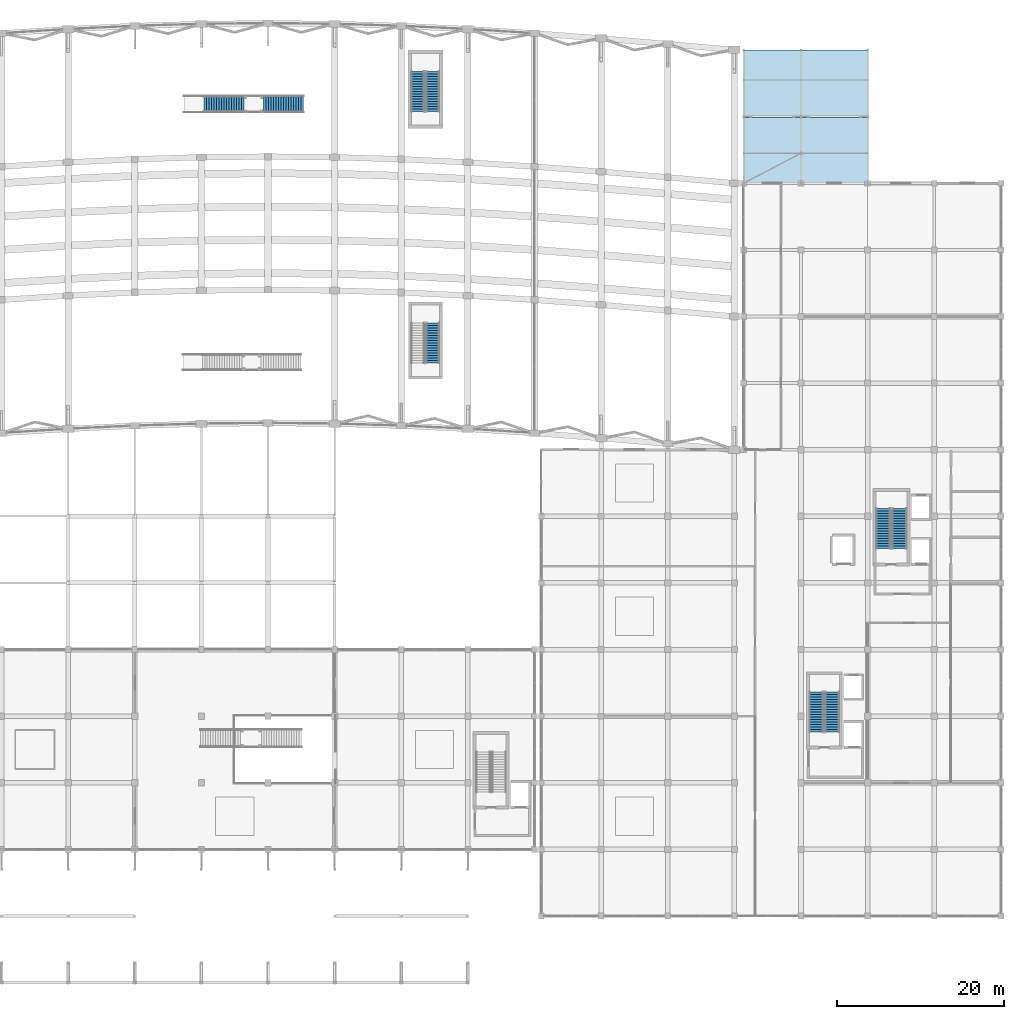
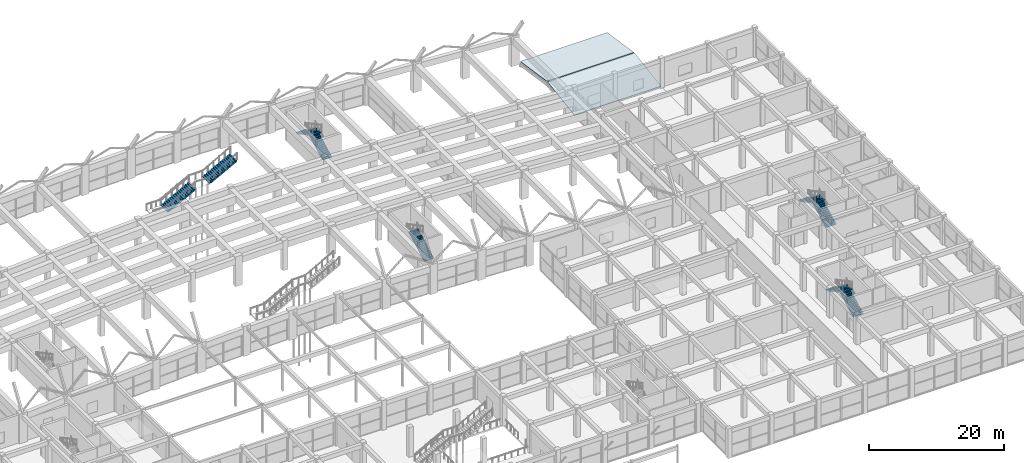
# One storey, part 54 of 69: 9 stair flights, 2 roofs, 5 elements without a shape of their own.
"""IFC4 building model written with IfcOpenShell, lengths in metres."""

import ifcopenshell
import ifcopenshell.guid

model = None  # the IFC model being written
_history = None  # IfcOwnerHistory: only IFC2X3 demands one
_inside = {}  # id of a spatial element -> (the spatial element, [elements in it])
_under = {}  # id of a project, library or spatial element -> (it, [spatial elements below it])
_declared = {}  # id of a project -> (the project, [libraries it declares])
_typed = {}  # id of a type object -> (the type object, [elements of that type])
_made_of = {}  # id of a material, layer set ... -> (it, [elements and type objects made of it])


def new_model(schema):
    """Start an empty IFC model of exactly this schema.

    Asked for "IFC4X3", IfcOpenShell would pick the latest addendum, in which some entities
    have other attributes; the version numbers below select the first issue.
    IFC2X3 requires an IfcOwnerHistory on every rooted entity: one is made here for all.
    """
    global model, _history
    if schema == "IFC4X3":
        model = ifcopenshell.file(schema_version=(4, 3, 0, 0))
    else:
        model = ifcopenshell.file(schema=schema)
    _inside.clear()
    _under.clear()
    _declared.clear()
    _typed.clear()
    _made_of.clear()
    _history = None
    if model.schema == "IFC2X3":
        org = make("IfcOrganization", Name="unknown")
        user = make(
            "IfcPersonAndOrganization",
            ThePerson=make("IfcPerson", FamilyName="unknown"),
            TheOrganization=org,
        )
        app = make(
            "IfcApplication",
            ApplicationDeveloper=org,
            Version="unknown",
            ApplicationFullName="unknown",
            ApplicationIdentifier="unknown",
        )
        _history = make(
            "IfcOwnerHistory",
            OwningUser=user,
            OwningApplication=app,
            ChangeAction="ADDED",
            CreationDate=0,
        )
    return model


def make(cls, **values):
    """One entity of the class cls with the attributes given. An attribute that is None is left unset."""
    return model.create_entity(
        cls, **{name: value for name, value in values.items() if value is not None}
    )


def rooted(cls, **values):
    """An entity with a GlobalId (a new one), such as an element, a storey or a relation."""
    return make(cls, GlobalId=ifcopenshell.guid.new(), OwnerHistory=_history, **values)


def si_unit(unit_type, name, prefix=None):
    """IfcSIUnit, for example si_unit("LENGTHUNIT", "METRE", prefix="MILLI")."""
    return make("IfcSIUnit", UnitType=unit_type, Prefix=prefix, Name=name)


def assignment(units):
    """IfcUnitAssignment: the units of a project."""
    return None if units is None else make("IfcUnitAssignment", Units=units)


def point(xyz):
    """IfcCartesianPoint."""
    return None if xyz is None else make("IfcCartesianPoint", Coordinates=xyz)


def direction(xyz):
    """IfcDirection."""
    return None if xyz is None else make("IfcDirection", DirectionRatios=xyz)


def frame(location, z_axis=None, x_axis=None):
    """IfcAxis2Placement3D, a coordinate frame: its origin and axes. An axis left out is left unset."""
    return make(
        "IfcAxis2Placement3D",
        Location=point(location),
        Axis=direction(z_axis),
        RefDirection=direction(x_axis),
    )


def origin():
    """The frame at (0, 0, 0) with its axes left unset."""
    return frame((0.0, 0.0, 0.0))


def place(relative_to, where):
    """IfcLocalPlacement: puts the frame where relative to a parent placement (None: the world)."""
    return make(
        "IfcLocalPlacement", PlacementRelTo=relative_to, RelativePlacement=where
    )


def context(
    kind, dimensions, precision=None, world=None, true_north=None, identifier=None
):
    """IfcGeometricRepresentationContext, for example the 3D "Model" context."""
    return make(
        "IfcGeometricRepresentationContext",
        ContextIdentifier=identifier,
        ContextType=kind,
        CoordinateSpaceDimension=dimensions,
        Precision=precision,
        WorldCoordinateSystem=world,
        TrueNorth=true_north,
    )


def subcontext(parent, identifier, kind, view, scale=None):
    """IfcGeometricRepresentationSubContext, for example "Body" below "Model"."""
    return make(
        "IfcGeometricRepresentationSubContext",
        ContextIdentifier=identifier,
        ContextType=kind,
        ParentContext=parent,
        TargetScale=scale,
        TargetView=view,
    )


def project(units=None, contexts=None):
    """IfcProject with its units and contexts."""
    return rooted(
        "IfcProject",
        Name="project",
        RepresentationContexts=contexts,
        UnitsInContext=assignment(units),
    )


def spatial(cls, under=None, at=None, **own):
    """A site, building, storey or space (cls), placed at a placement, below another one or the project."""
    s = rooted(cls, ObjectPlacement=at, **own)
    if under is not None:
        _under.setdefault(under.id(), (under, []))[1].append(s)
    return s


def polyline(points):
    """IfcPolyline through the points."""
    return make("IfcPolyline", Points=[point(p) for p in points])


def outline(outer, holes=None, kind="AREA"):
    """IfcArbitraryClosedProfileDef: a profile drawn as a closed curve; with holes, ...WithVoids."""
    if holes is None:
        return make("IfcArbitraryClosedProfileDef", ProfileType=kind, OuterCurve=outer)
    return make(
        "IfcArbitraryProfileDefWithVoids",
        ProfileType=kind,
        OuterCurve=outer,
        InnerCurves=holes,
    )


def extrude(swept, where, along, depth):
    """IfcExtrudedAreaSolid: the profile swept, set in the frame where, extruded along a direction by depth."""
    return make(
        "IfcExtrudedAreaSolid",
        SweptArea=swept,
        Position=where,
        ExtrudedDirection=direction(along),
        Depth=depth,
    )


def shape(context_of_items, identifier, shape_type, items):
    """IfcShapeRepresentation: the items that make up one representation, for example the "Body"."""
    return make(
        "IfcShapeRepresentation",
        ContextOfItems=context_of_items,
        RepresentationIdentifier=identifier,
        RepresentationType=shape_type,
        Items=items,
    )


def material(Name=None, Category=None):
    """IfcMaterial."""
    return make("IfcMaterial", Name=Name, Category=Category)


def layer(
    of_material, thickness, ventilated=None, Name=None, Category=None, Priority=None
):
    """IfcMaterialLayer: one layer of a wall or slab, of a material (None: an air gap)."""
    return make(
        "IfcMaterialLayer",
        Material=of_material,
        LayerThickness=thickness,
        IsVentilated=ventilated,
        Name=Name,
        Category=Category,
        Priority=Priority,
    )


def layer_set(layers, Name=None):
    """IfcMaterialLayerSet."""
    return make("IfcMaterialLayerSet", MaterialLayers=layers, LayerSetName=Name)


def made_of(thing, what):
    """Note that an element or type object is made of a material, layer set ...; save() writes the relation."""
    if what is not None:
        _made_of.setdefault(what.id(), (what, []))[1].append(thing)
    return thing


def type_object(cls, material=None, **own):
    """A type object (cls), such as IfcWallType, which elements share."""
    return made_of(rooted(cls, **own), material)


def element(
    cls,
    number,
    at=None,
    inside=None,
    cuts=None,
    type_object=None,
    material=None,
    context=None,
    identifier="Body",
    shape_type=None,
    held_by="IfcProductDefinitionShape",
    body=None,
    shapes=None,
    **own,
):
    """One element of the class cls, such as IfcWall. Its Tag is "e" and its number.

    at: its placement. inside: the storey or other place that contains it. cuts: it is an
    opening in that element (IfcRelVoidsElement). A single representation is given by context,
    identifier, shape_type and body (its items); several are given by shapes. held_by: the class
    of the entity that holds the representations. save() writes the other relations.
    """
    e = rooted(cls, Tag="e%d" % number, ObjectPlacement=at, **own)
    if body is not None:
        shapes = [shape(context, identifier, shape_type, body)]
    if shapes is not None:
        e.Representation = make(held_by, Representations=shapes)
    if inside is not None:
        _inside.setdefault(inside.id(), (inside, []))[1].append(e)
    if cuts is not None:
        rooted(
            "IfcRelVoidsElement", RelatingBuildingElement=cuts, RelatedOpeningElement=e
        )
    if type_object is not None:
        _typed.setdefault(type_object.id(), (type_object, []))[1].append(e)
    return made_of(e, material)


def aggregate(whole, parts):
    """IfcRelAggregates: a whole, such as a stair, and the parts it consists of."""
    return rooted("IfcRelAggregates", RelatingObject=whole, RelatedObjects=parts)


def save(model, path):
    """Write the relations noted so far, then the file.

    IfcRelAggregates (storeys below a building ...), IfcRelContainedInSpatialStructure (elements
    in a storey), IfcRelDefinesByType, IfcRelAssociatesMaterial and IfcRelDeclares: one each for
    every whole, place, type object, material and project.
    """
    for whole, parts in _under.values():
        aggregate(whole, parts)
    for where, things in _inside.values():
        rooted(
            "IfcRelContainedInSpatialStructure",
            RelatedElements=things,
            RelatingStructure=where,
        )
    for kind, things in _typed.values():
        rooted("IfcRelDefinesByType", RelatedObjects=things, RelatingType=kind)
    for what, things in _made_of.values():
        rooted("IfcRelAssociatesMaterial", RelatedObjects=things, RelatingMaterial=what)
    for by, libraries in _declared.values():
        rooted("IfcRelDeclares", RelatingContext=by, RelatedDefinitions=libraries)
    model.write(path)


model = new_model("IFC4")

# Units and contexts
model_context = context("Model", 3, precision=1e-05, world=origin(), true_north=direction((0.0, 1.0)))
body_context = subcontext(model_context, "Body", "Model", "MODEL_VIEW")
ifc_project = project(units=[si_unit("LENGTHUNIT", "METRE"), si_unit("AREAUNIT", "SQUARE_METRE"), si_unit("VOLUMEUNIT", "CUBIC_METRE"), si_unit("PLANEANGLEUNIT", "RADIAN"), si_unit("MASSUNIT", "GRAM", prefix="KILO")], contexts=[model_context])

# Site, building, storey
site_placement = place(None, origin())
site = spatial("IfcSite", under=ifc_project, at=site_placement, CompositionType="ELEMENT")
building_placement = place(site_placement, origin())
building = spatial("IfcBuilding", under=site, at=building_placement, Name="Kenh Van Central Station", CompositionType="ELEMENT")
storey_placement = place(building_placement, frame((0.0, 0.0, 5.39990234375)))
storey = spatial("IfcBuildingStorey", under=building, at=storey_placement, Name="L01", CompositionType="ELEMENT", Elevation=5.39990234375)

# Stair, stair flight
ifc_material_1 = material(Name="Concrete C35/45", Category="concrete")
stair_type_1 = type_object("IfcStairType", Name="STR-DLG-1600", PredefinedType="HALF_TURN_STAIR", material=ifc_material_1)
stair_1_placement = place(storey_placement, origin())
stair_1 = element("IfcStair", 1, at=stair_1_placement, inside=storey, type_object=stair_type_1, Name="L01 Island Platform 1 East Evacuation Core", PredefinedType="HALF_TURN_STAIR")
ifc_layer_1 = layer(ifc_material_1, 0.179931640625, Name="Concrete C35/45")
ifc_layer_set_1 = layer_set([ifc_layer_1], Name="Concrete C35/45")
stair_flight_type_1 = type_object("IfcStairFlightType", Name="FLT-DLG-1600", PredefinedType="STRAIGHT", material=ifc_layer_set_1)
stair_flight_1_placement = place(storey_placement, frame((107.800048828125, 74.39990234375, 0.0), z_axis=(0.0, 0.0, 1.0), x_axis=(0.0, 1.0, 0.0)))
stair_flight_1 = element("IfcStairFlight", 2, at=stair_flight_1_placement, type_object=stair_flight_type_1, Name="ST-06 flight 1", NumberOfRisers=17, NumberOfTreads=16, PredefinedType="STRAIGHT", RiserHeight=0.158823529, TreadLength=0.3, context=body_context, shape_type="SweptSolid", body=[
    extrude(outline(polyline([(0.0, 0.0), (0.0, 0.158935546875), (0.300048828125, 0.158935546875), (0.300048828125, 0.317626953125), (0.60009765625, 0.317626953125), (0.60009765625, 0.4765625), (0.89990234375, 0.4765625), (0.89990234375, 0.63525390625), (1.199951171875, 0.63525390625), (1.199951171875, 0.794189453125), (1.5, 0.794189453125), (1.5, 0.952880859375), (1.800048828125, 0.952880859375), (1.800048828125, 1.11181640625), (2.10009765625, 1.11181640625), (2.10009765625, 1.2705078125), (2.39990234375, 1.2705078125), (2.39990234375, 1.429443359375), (2.699951171875, 1.429443359375), (2.699951171875, 1.588134765625), (3.0, 1.588134765625), (3.0, 1.7470703125), (3.300048828125, 1.7470703125), (3.300048828125, 1.90576171875), (3.60009765625, 1.90576171875), (3.60009765625, 2.064697265625), (3.89990234375, 2.064697265625), (3.89990234375, 2.2236328125), (4.199951171875, 2.2236328125), (4.199951171875, 2.38232421875), (4.5, 2.38232421875), (4.5, 2.541259765625), (4.800048828125, 2.541259765625), (4.800048828125, 2.699951171875), (4.800048828125, 2.337646484375), (0.384521484375, 0.0), (0.0, 0.0)])), frame((0.0, 0.800048828125, 0.0), z_axis=(0.0, -1.0, 0.0), x_axis=(1.0, 0.0, 0.0)), (0.0, 0.0, 1.0), 1.60009765625),
])
aggregate(stair_1, [stair_flight_1])

# Stair, stair flights
stair_2_placement = place(storey_placement, origin())
stair_2 = element("IfcStair", 3, at=stair_2_placement, inside=storey, type_object=stair_type_1, Name="L01 Island Platform 2 East Evacuation Core", PredefinedType="HALF_TURN_STAIR")
stair_flight_2_placement = place(storey_placement, frame((107.800048828125, 104.60009765625, 0.0), z_axis=(0.0, 0.0, 1.0), x_axis=(0.0, 1.0, 0.0)))
stair_flight_2 = element("IfcStairFlight", 4, at=stair_flight_2_placement, type_object=stair_flight_type_1, Name="ST-08 flight 1", NumberOfRisers=17, NumberOfTreads=16, PredefinedType="STRAIGHT", RiserHeight=0.158823529, TreadLength=0.3, context=body_context, shape_type="SweptSolid", body=[
    extrude(outline(polyline([(0.0, 0.0), (0.0, 0.158935546875), (0.300048828125, 0.158935546875), (0.300048828125, 0.317626953125), (0.60009765625, 0.317626953125), (0.60009765625, 0.4765625), (0.89990234375, 0.4765625), (0.89990234375, 0.63525390625), (1.199951171875, 0.63525390625), (1.199951171875, 0.794189453125), (1.5, 0.794189453125), (1.5, 0.952880859375), (1.800048828125, 0.952880859375), (1.800048828125, 1.11181640625), (2.10009765625, 1.11181640625), (2.10009765625, 1.2705078125), (2.39990234375, 1.2705078125), (2.39990234375, 1.429443359375), (2.699951171875, 1.429443359375), (2.699951171875, 1.588134765625), (3.0, 1.588134765625), (3.0, 1.7470703125), (3.300048828125, 1.7470703125), (3.300048828125, 1.90576171875), (3.60009765625, 1.90576171875), (3.60009765625, 2.064697265625), (3.89990234375, 2.064697265625), (3.89990234375, 2.2236328125), (4.199951171875, 2.2236328125), (4.199951171875, 2.38232421875), (4.5, 2.38232421875), (4.5, 2.541259765625), (4.800048828125, 2.541259765625), (4.800048828125, 2.699951171875), (4.800048828125, 2.337646484375), (0.384521484375, 0.0), (0.0, 0.0)])), frame((0.0, 0.800048828125, 0.0), z_axis=(0.0, -1.0, 0.0), x_axis=(1.0, 0.0, 0.0)), (0.0, 0.0, 1.0), 1.60009765625),
])
stair_flight_3_placement = place(storey_placement, frame((106.0, 109.39990234375, 2.7001953125), z_axis=(0.0, 0.0, 1.0), x_axis=(0.0, -1.0, 0.0)))
stair_flight_3 = element("IfcStairFlight", 5, at=stair_flight_3_placement, type_object=stair_flight_type_1, Name="ST-08 flight 2", NumberOfRisers=17, NumberOfTreads=16, PredefinedType="STRAIGHT", RiserHeight=0.158823529, TreadLength=0.3, context=body_context, shape_type="SweptSolid", body=[
    extrude(outline(polyline([(0.0, 0.0), (0.0, 0.158935546875), (0.300048828125, 0.158935546875), (0.300048828125, 0.317626953125), (0.60009765625, 0.317626953125), (0.60009765625, 0.4765625), (0.89990234375, 0.4765625), (0.89990234375, 0.63525390625), (1.199951171875, 0.63525390625), (1.199951171875, 0.794189453125), (1.5, 0.794189453125), (1.5, 0.952880859375), (1.800048828125, 0.952880859375), (1.800048828125, 1.11181640625), (2.10009765625, 1.11181640625), (2.10009765625, 1.2705078125), (2.39990234375, 1.2705078125), (2.39990234375, 1.429443359375), (2.699951171875, 1.429443359375), (2.699951171875, 1.588134765625), (3.0, 1.588134765625), (3.0, 1.7470703125), (3.300048828125, 1.7470703125), (3.300048828125, 1.90576171875), (3.60009765625, 1.90576171875), (3.60009765625, 2.064697265625), (3.89990234375, 2.064697265625), (3.89990234375, 2.2236328125), (4.199951171875, 2.2236328125), (4.199951171875, 2.38232421875), (4.5, 2.38232421875), (4.5, 2.541259765625), (4.800048828125, 2.541259765625), (4.800048828125, 2.699951171875), (4.800048828125, 2.337646484375), (0.384521484375, 0.0), (0.0, 0.0)])), frame((0.0, 0.800048828125, 0.0), z_axis=(0.0, -1.0, 0.0), x_axis=(1.0, 0.0, 0.0)), (0.0, 0.0, 1.0), 1.60009765625),
])
aggregate(stair_2, [stair_flight_2, stair_flight_3])

stair_type_2 = type_object("IfcStairType", Name="STR-DLG-1700", PredefinedType="HALF_TURN_STAIR", material=ifc_material_1)
stair_3_placement = place(storey_placement, origin())
stair_3 = element("IfcStair", 6, at=stair_3_placement, inside=storey, type_object=stair_type_2, Name="L01 Operations South Firefighting Core", PredefinedType="HALF_TURN_STAIR")
ifc_layer_2 = layer(ifc_material_1, 0.179931640625, Name="Concrete C35/45")
ifc_layer_set_2 = layer_set([ifc_layer_2], Name="Concrete C35/45")
stair_flight_type_2 = type_object("IfcStairFlightType", Name="FLT-DLG-1700", PredefinedType="STRAIGHT", material=ifc_layer_set_2)
stair_flight_4_placement = place(storey_placement, frame((155.75, 30.10009765625, 0.0), z_axis=(0.0, 0.0, 1.0), x_axis=(0.0, 1.0, 0.0)))
stair_flight_4 = element("IfcStairFlight", 7, at=stair_flight_4_placement, type_object=stair_flight_type_2, Name="ST-09 flight 1", NumberOfRisers=17, NumberOfTreads=16, PredefinedType="STRAIGHT", RiserHeight=0.158823529, TreadLength=0.3, context=body_context, shape_type="SweptSolid", body=[
    extrude(outline(polyline([(0.0, 0.0), (0.0, 0.158935546875), (0.300048828125, 0.158935546875), (0.300048828125, 0.317626953125), (0.60009765625, 0.317626953125), (0.60009765625, 0.4765625), (0.89990234375, 0.4765625), (0.89990234375, 0.63525390625), (1.199951171875, 0.63525390625), (1.199951171875, 0.794189453125), (1.5, 0.794189453125), (1.5, 0.952880859375), (1.800048828125, 0.952880859375), (1.800048828125, 1.11181640625), (2.10009765625, 1.11181640625), (2.10009765625, 1.2705078125), (2.39990234375, 1.2705078125), (2.39990234375, 1.429443359375), (2.699951171875, 1.429443359375), (2.699951171875, 1.588134765625), (3.0, 1.588134765625), (3.0, 1.7470703125), (3.300048828125, 1.7470703125), (3.300048828125, 1.90576171875), (3.60009765625, 1.90576171875), (3.60009765625, 2.064697265625), (3.89990234375, 2.064697265625), (3.89990234375, 2.2236328125), (4.199951171875, 2.2236328125), (4.199951171875, 2.38232421875), (4.5, 2.38232421875), (4.5, 2.541259765625), (4.800048828125, 2.541259765625), (4.800048828125, 2.699951171875), (4.800048828125, 2.337646484375), (0.384521484375, 0.0), (0.0, 0.0)])), frame((0.0, 0.85009765625, 0.0), z_axis=(0.0, -1.0, 0.0), x_axis=(1.0, 0.0, 0.0)), (0.0, 0.0, 1.0), 1.699951171875),
])
stair_flight_5_placement = place(storey_placement, frame((153.85009765625, 34.89990234375, 2.7001953125), z_axis=(0.0, 0.0, 1.0), x_axis=(0.0, -1.0, 0.0)))
stair_flight_5 = element("IfcStairFlight", 8, at=stair_flight_5_placement, type_object=stair_flight_type_2, Name="ST-09 flight 2", NumberOfRisers=17, NumberOfTreads=16, PredefinedType="STRAIGHT", RiserHeight=0.158823529, TreadLength=0.3, context=body_context, shape_type="SweptSolid", body=[
    extrude(outline(polyline([(0.0, 0.0), (0.0, 0.158935546875), (0.300048828125, 0.158935546875), (0.300048828125, 0.317626953125), (0.60009765625, 0.317626953125), (0.60009765625, 0.4765625), (0.89990234375, 0.4765625), (0.89990234375, 0.63525390625), (1.199951171875, 0.63525390625), (1.199951171875, 0.794189453125), (1.5, 0.794189453125), (1.5, 0.952880859375), (1.800048828125, 0.952880859375), (1.800048828125, 1.11181640625), (2.10009765625, 1.11181640625), (2.10009765625, 1.2705078125), (2.39990234375, 1.2705078125), (2.39990234375, 1.429443359375), (2.699951171875, 1.429443359375), (2.699951171875, 1.588134765625), (3.0, 1.588134765625), (3.0, 1.7470703125), (3.300048828125, 1.7470703125), (3.300048828125, 1.90576171875), (3.60009765625, 1.90576171875), (3.60009765625, 2.064697265625), (3.89990234375, 2.064697265625), (3.89990234375, 2.2236328125), (4.199951171875, 2.2236328125), (4.199951171875, 2.38232421875), (4.5, 2.38232421875), (4.5, 2.541259765625), (4.800048828125, 2.541259765625), (4.800048828125, 2.699951171875), (4.800048828125, 2.337646484375), (0.384521484375, 0.0), (0.0, 0.0)])), frame((0.0, 0.85009765625, 0.0), z_axis=(0.0, -1.0, 0.0), x_axis=(1.0, 0.0, 0.0)), (0.0, 0.0, 1.0), 1.699951171875),
])
aggregate(stair_3, [stair_flight_4, stair_flight_5])

stair_type_3 = type_object("IfcStairType", Name="STR-DLG-1750", PredefinedType="HALF_TURN_STAIR", material=ifc_material_1)
stair_4_placement = place(storey_placement, origin())
stair_4 = element("IfcStair", 9, at=stair_4_placement, inside=storey, type_object=stair_type_3, Name="L01 Operations North Firefighting and Goods Core", PredefinedType="HALF_TURN_STAIR")
ifc_layer_3 = layer(ifc_material_1, 0.179931640625, Name="Concrete C35/45")
ifc_layer_set_3 = layer_set([ifc_layer_3], Name="Concrete C35/45")
stair_flight_type_3 = type_object("IfcStairFlightType", Name="FLT-DLG-1750", PredefinedType="STRAIGHT", material=ifc_layer_set_3)
stair_flight_6_placement = place(storey_placement, frame((163.824951171875, 52.14990234375, 0.0), z_axis=(0.0, 0.0, 1.0), x_axis=(0.0, 1.0, 0.0)))
stair_flight_6 = element("IfcStairFlight", 10, at=stair_flight_6_placement, type_object=stair_flight_type_3, Name="ST-10 flight 1", NumberOfRisers=17, NumberOfTreads=16, PredefinedType="STRAIGHT", RiserHeight=0.158823529, TreadLength=0.3, context=body_context, shape_type="SweptSolid", body=[
    extrude(outline(polyline([(0.0, 0.0), (0.0, 0.158935546875), (0.300048828125, 0.158935546875), (0.300048828125, 0.317626953125), (0.60009765625, 0.317626953125), (0.60009765625, 0.4765625), (0.89990234375, 0.4765625), (0.89990234375, 0.63525390625), (1.199951171875, 0.63525390625), (1.199951171875, 0.794189453125), (1.5, 0.794189453125), (1.5, 0.952880859375), (1.800048828125, 0.952880859375), (1.800048828125, 1.11181640625), (2.10009765625, 1.11181640625), (2.10009765625, 1.2705078125), (2.39990234375, 1.2705078125), (2.39990234375, 1.429443359375), (2.699951171875, 1.429443359375), (2.699951171875, 1.588134765625), (3.0, 1.588134765625), (3.0, 1.7470703125), (3.300048828125, 1.7470703125), (3.300048828125, 1.90576171875), (3.60009765625, 1.90576171875), (3.60009765625, 2.064697265625), (3.89990234375, 2.064697265625), (3.89990234375, 2.2236328125), (4.199951171875, 2.2236328125), (4.199951171875, 2.38232421875), (4.5, 2.38232421875), (4.5, 2.541259765625), (4.800048828125, 2.541259765625), (4.800048828125, 2.699951171875), (4.800048828125, 2.337646484375), (0.384521484375, 0.0), (0.0, 0.0)])), frame((0.0, 0.875, 0.0), z_axis=(0.0, -1.0, 0.0), x_axis=(1.0, 0.0, 0.0)), (0.0, 0.0, 1.0), 1.75),
])
stair_flight_7_placement = place(storey_placement, frame((161.875, 56.949951171875, 2.7001953125), z_axis=(0.0, 0.0, 1.0), x_axis=(0.0, -1.0, 0.0)))
stair_flight_7 = element("IfcStairFlight", 11, at=stair_flight_7_placement, type_object=stair_flight_type_3, Name="ST-10 flight 2", NumberOfRisers=17, NumberOfTreads=16, PredefinedType="STRAIGHT", RiserHeight=0.158823529, TreadLength=0.3, context=body_context, shape_type="SweptSolid", body=[
    extrude(outline(polyline([(0.0, 0.0), (0.0, 0.158935546875), (0.300048828125, 0.158935546875), (0.300048828125, 0.317626953125), (0.60009765625, 0.317626953125), (0.60009765625, 0.4765625), (0.89990234375, 0.4765625), (0.89990234375, 0.63525390625), (1.199951171875, 0.63525390625), (1.199951171875, 0.794189453125), (1.5, 0.794189453125), (1.5, 0.952880859375), (1.800048828125, 0.952880859375), (1.800048828125, 1.11181640625), (2.10009765625, 1.11181640625), (2.10009765625, 1.2705078125), (2.39990234375, 1.2705078125), (2.39990234375, 1.429443359375), (2.699951171875, 1.429443359375), (2.699951171875, 1.588134765625), (3.0, 1.588134765625), (3.0, 1.7470703125), (3.300048828125, 1.7470703125), (3.300048828125, 1.90576171875), (3.60009765625, 1.90576171875), (3.60009765625, 2.064697265625), (3.89990234375, 2.064697265625), (3.89990234375, 2.2236328125), (4.199951171875, 2.2236328125), (4.199951171875, 2.38232421875), (4.5, 2.38232421875), (4.5, 2.541259765625), (4.800048828125, 2.541259765625), (4.800048828125, 2.699951171875), (4.800048828125, 2.337646484375), (0.384521484375, 0.0), (0.0, 0.0)])), frame((0.0, 0.875, 0.0), z_axis=(0.0, -1.0, 0.0), x_axis=(1.0, 0.0, 0.0)), (0.0, 0.0, 1.0), 1.75),
])
aggregate(stair_4, [stair_flight_6, stair_flight_7])

ifc_material_2 = material(Name="Concrete C40/50", Category="concrete")
stair_type_4 = type_object("IfcStairType", Name="STR-PUB-2050", PredefinedType="STRAIGHT_RUN_STAIR", material=ifc_material_2)
stair_5_placement = place(storey_placement, origin())
stair_5 = element("IfcStair", 12, at=stair_5_placement, inside=storey, type_object=stair_type_4, Name="Island Platform 2 Central Transfer Stair", PredefinedType="STRAIGHT_RUN_STAIR")
ifc_layer_4 = layer(ifc_material_2, 0.199951171875, Name="Concrete C40/50")
ifc_layer_set_4 = layer_set([ifc_layer_4], Name="Concrete C40/50")
stair_flight_type_4 = type_object("IfcStairFlightType", Name="FLT-PUB-2050", PredefinedType="STRAIGHT", material=ifc_layer_set_4)
stair_flight_8_placement = place(storey_placement, frame((80.300048828125, 105.5, 0.0), z_axis=(0.0, 0.0, 1.0), x_axis=(1.0, 0.0, 0.0)))
stair_flight_8 = element("IfcStairFlight", 13, at=stair_flight_8_placement, type_object=stair_flight_type_4, Name="ST-P6B flight 1", NumberOfRisers=17, NumberOfTreads=16, PredefinedType="STRAIGHT", RiserHeight=0.158823529, TreadLength=0.3, context=body_context, shape_type="SweptSolid", body=[
    extrude(outline(polyline([(0.0, 0.0), (0.0, 0.158935546875), (0.300048828125, 0.158935546875), (0.300048828125, 0.317626953125), (0.60009765625, 0.317626953125), (0.60009765625, 0.4765625), (0.89990234375, 0.4765625), (0.89990234375, 0.63525390625), (1.199951171875, 0.63525390625), (1.199951171875, 0.794189453125), (1.5, 0.794189453125), (1.5, 0.952880859375), (1.800048828125, 0.952880859375), (1.800048828125, 1.11181640625), (2.10009765625, 1.11181640625), (2.10009765625, 1.2705078125), (2.39990234375, 1.2705078125), (2.39990234375, 1.429443359375), (2.699951171875, 1.429443359375), (2.699951171875, 1.588134765625), (3.0, 1.588134765625), (3.0, 1.7470703125), (3.300048828125, 1.7470703125), (3.300048828125, 1.90576171875), (3.60009765625, 1.90576171875), (3.60009765625, 2.064697265625), (3.89990234375, 2.064697265625), (3.89990234375, 2.2236328125), (4.199951171875, 2.2236328125), (4.199951171875, 2.38232421875), (4.5, 2.38232421875), (4.5, 2.541259765625), (4.800048828125, 2.541259765625), (4.800048828125, 2.699951171875), (4.800048828125, 2.31494140625), (0.42724609375, 0.0), (0.0, 0.0)])), frame((0.0, 1.02490234375, 0.0), z_axis=(0.0, -1.0, 0.0), x_axis=(1.0, 0.0, 0.0)), (0.0, 0.0, 1.0), 2.050048828125),
])
stair_flight_9_placement = place(storey_placement, frame((87.449951171875, 105.5, 2.7001953125), z_axis=(0.0, 0.0, 1.0), x_axis=(1.0, 0.0, 0.0)))
stair_flight_9 = element("IfcStairFlight", 14, at=stair_flight_9_placement, type_object=stair_flight_type_4, Name="ST-P6B flight 2", NumberOfRisers=17, NumberOfTreads=16, PredefinedType="STRAIGHT", RiserHeight=0.158823529, TreadLength=0.3, context=body_context, shape_type="SweptSolid", body=[
    extrude(outline(polyline([(0.0, 0.0), (0.0, 0.158935546875), (0.300048828125, 0.158935546875), (0.300048828125, 0.317626953125), (0.60009765625, 0.317626953125), (0.60009765625, 0.4765625), (0.89990234375, 0.4765625), (0.89990234375, 0.63525390625), (1.199951171875, 0.63525390625), (1.199951171875, 0.794189453125), (1.5, 0.794189453125), (1.5, 0.952880859375), (1.800048828125, 0.952880859375), (1.800048828125, 1.11181640625), (2.10009765625, 1.11181640625), (2.10009765625, 1.2705078125), (2.39990234375, 1.2705078125), (2.39990234375, 1.429443359375), (2.699951171875, 1.429443359375), (2.699951171875, 1.588134765625), (3.0, 1.588134765625), (3.0, 1.7470703125), (3.300048828125, 1.7470703125), (3.300048828125, 1.90576171875), (3.60009765625, 1.90576171875), (3.60009765625, 2.064697265625), (3.89990234375, 2.064697265625), (3.89990234375, 2.2236328125), (4.199951171875, 2.2236328125), (4.199951171875, 2.38232421875), (4.5, 2.38232421875), (4.5, 2.541259765625), (4.800048828125, 2.541259765625), (4.800048828125, 2.699951171875), (4.800048828125, 2.31494140625), (0.42724609375, 0.0), (0.0, 0.0)])), frame((0.0, 1.02490234375, 0.0), z_axis=(0.0, -1.0, 0.0), x_axis=(1.0, 0.0, 0.0)), (0.0, 0.0, 1.0), 2.050048828125),
])
aggregate(stair_5, [stair_flight_8, stair_flight_9])

# Roofs
ifc_material_3 = material(Name="Glazed terracotta roof tile", Category="masonry")
ifc_layer_5 = layer(ifc_material_3, 0.094970703125, Name="Glazed terracotta roof tile")
ifc_layer_set_5 = layer_set([ifc_layer_5], Name="Glazed terracotta roof tile")
roof_type = type_object("IfcRoofType", Name="ROOF-HIP-WING", PredefinedType="HIP_ROOF", material=ifc_layer_set_5)
for number, where, z_axis, x_axis, name in (
    (15, (145.10009765625, 96.0, 0.09521484375), (0.0, -0.150171932464, 0.988659896375), (1.0, 0.0, 0.0), "L01 sloped hip roof 11"),
    (16, (145.10009765625, 104.10009765625, 1.295166015625), (0.0, 0.150171932464, 0.988659896375), (1.0, 0.0, 0.0), "L01 sloped hip roof 12"),
):
    element("IfcRoof", number, at=place(storey_placement, frame(where, z_axis=z_axis, x_axis=x_axis)), inside=storey, type_object=roof_type, Name=name, PredefinedType="HIP_ROOF", context=body_context, shape_type="SweptSolid", body=[
        extrude(outline(polyline([(0.0, 0.0), (14.89990234375, 0.0), (14.89990234375, 7.990515618886614), (0.0, 7.990515618886614), (0.0, 0.0)])), origin(), (0.0, 0.0, -1.0), 0.094970703125),
    ])

save(model, "model.ifc")
